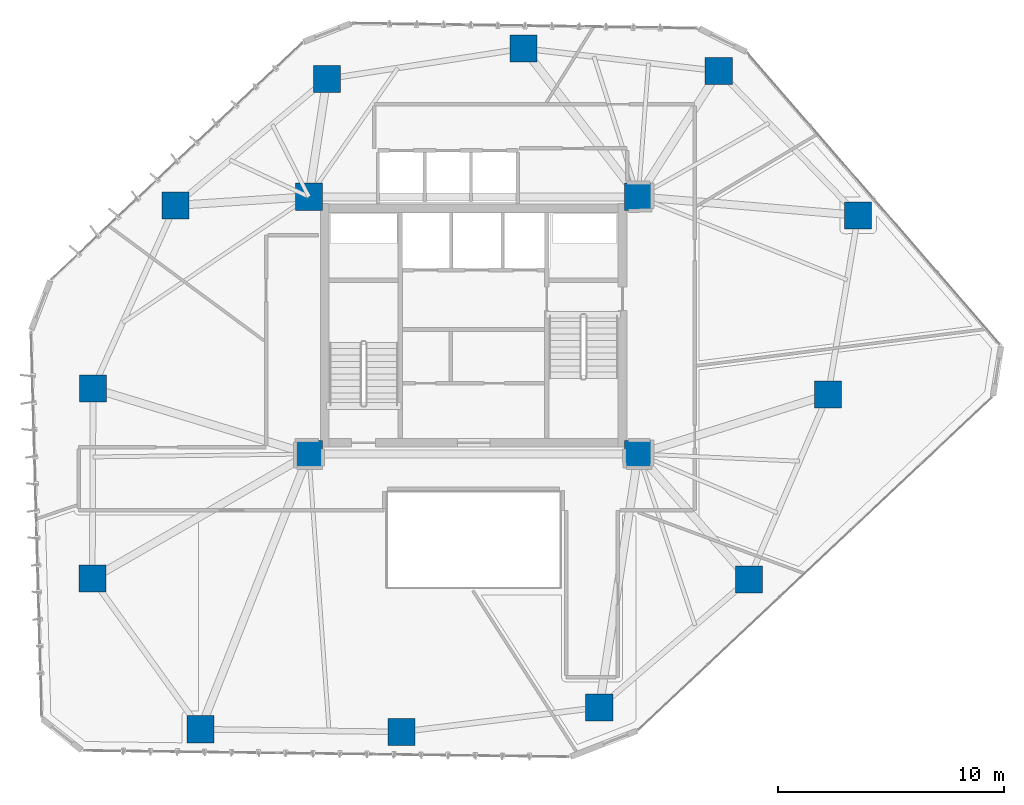
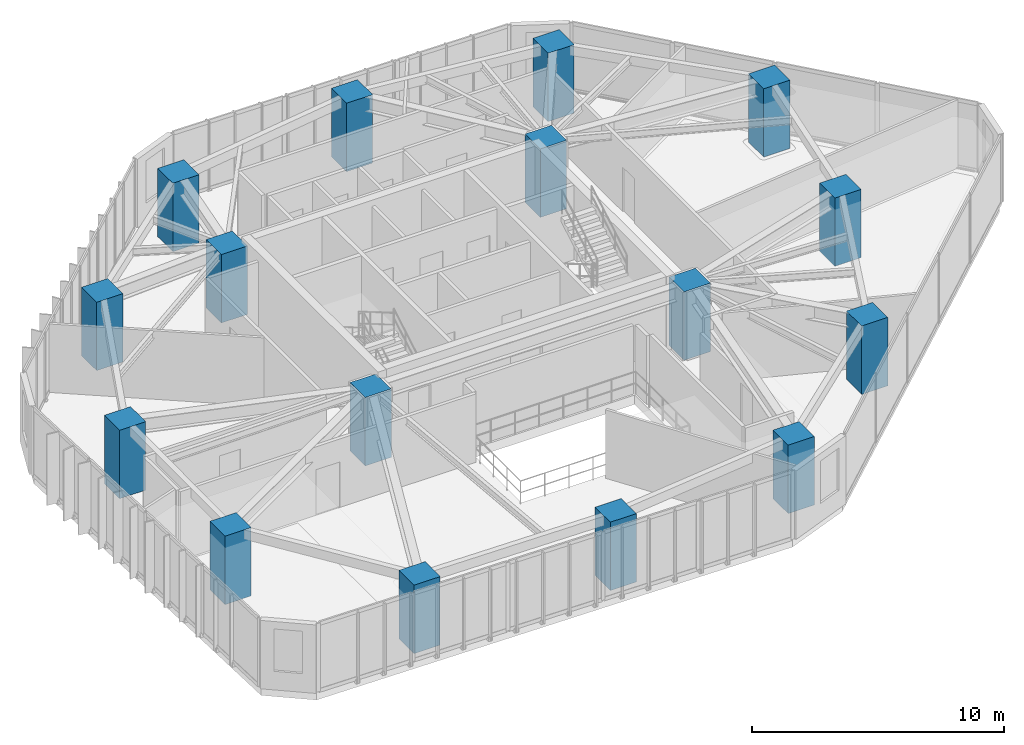
# One storey, part 1 of 22: 16 columns.
"""IFC4 building model written with IfcOpenShell, lengths in metres."""

from ifc_helpers import new_model, si_unit, direction, frame, origin, origin_2d, place, context, subcontext, project, spatial, rectangle, extrude, material, material_profile, profile_set, type_object, element, save


model = new_model("IFC4")

# Units and contexts
model_context = context("Model", 3, precision=1e-05, world=origin(), true_north=direction((0.0, 1.0)))
body_context = subcontext(model_context, "Body", "Model", "MODEL_VIEW")
ifc_project = project(units=[si_unit("LENGTHUNIT", "METRE"), si_unit("AREAUNIT", "SQUARE_METRE"), si_unit("VOLUMEUNIT", "CUBIC_METRE"), si_unit("PLANEANGLEUNIT", "RADIAN"), si_unit("MASSUNIT", "GRAM", prefix="KILO")], contexts=[model_context])

# Site, building, storey
site_placement = place(None, origin())
site = spatial("IfcSite", under=ifc_project, at=site_placement, CompositionType="ELEMENT")
building_placement = place(site_placement, origin())
building = spatial("IfcBuilding", under=site, at=building_placement, Name="Talar Marvaseh", CompositionType="ELEMENT")
storey_placement = place(building_placement, frame((0.0, 0.0, 89.39990234375)))
storey = spatial("IfcBuildingStorey", under=building, at=storey_placement, Name="L22", CompositionType="ELEMENT", Elevation=89.39990234375)

# Columns
ifc_material = material(Name="Concrete C60/75", Category="concrete")
ifc_material_profile = material_profile(ifc_material, rectangle(XDim=1.199951171875, YDim=1.199951171875, at=origin_2d()), Name="RC1200x1200")
ifc_profile_set = profile_set([ifc_material_profile], Name="Concrete C60/75")
column_type = type_object("IfcColumnType", Name="Zone 2 Tube Column RC1200x1200", PredefinedType="COLUMN", material=ifc_profile_set)
for number, where, z_axis, x_axis, name in (
    (1, (36.865966796875, 42.470947265625, 0.0), (0.0, 0.0, 1.0), (1.0, 0.0, 0.0), "L22 Zone 2 Tube Column RC1200x1200"),
    (2, (43.0439453125, 36.075927734375, 0.0), (0.0, 0.0, 1.0), (1.0, 0.0, 0.0), "L22 Zone 2 Tube Column RC1200x1200"),
    (3, (41.708984375, 28.1279296875, 0.0), (0.0, 0.0, 1.0), (1.0, 0.0, 0.0), "L22 Zone 2 Tube Column RC1200x1200"),
    (4, (38.2060546875, 19.94091796875, 0.0), (0.0, 0.0, 1.0), (1.0, 0.0, 0.0), "L22 Zone 2 Tube Column RC1200x1200"),
    (5, (31.570068359375, 14.26806640625, 0.0), (0.0, 0.0, 1.0), (1.0, 0.0, 0.0), "L22 Zone 2 Tube Column RC1200x1200"),
    (6, (22.804931640625, 13.18310546875, 0.0), (0.0, 0.0, 1.0), (1.0, 0.0, 0.0), "L22 Zone 2 Tube Column RC1200x1200"),
    (7, (13.89111328125, 13.299072265625, 0.0), (0.0, 0.0, 1.0), (1.0, 0.0, 0.0), "L22 Zone 2 Tube Column RC1200x1200"),
    (8, (9.10107421875, 19.97705078125, 0.0), (0.0, 0.0, 1.0), (1.0, 0.0, 0.0), "L22 Zone 2 Tube Column RC1200x1200"),
    (9, (9.137939453125, 28.402099609375, 0.0), (0.0, 0.0, 1.0), (1.0, 0.0, 0.0), "L22 Zone 2 Tube Column RC1200x1200"),
    (10, (12.780029296875, 36.51708984375, 0.0), (0.0, 0.0, 1.0), (1.0, 0.0, 0.0), "L22 Zone 2 Tube Column RC1200x1200"),
    (11, (19.5009765625, 42.123046875, 0.0), (0.0, 0.0, 1.0), (1.0, 0.0, 0.0), "L22 Zone 2 Tube Column RC1200x1200"),
    (12, (28.221923828125, 43.471923828125, 0.0), (0.0, 0.0, 1.0), (1.0, 0.0, 0.0), "L22 Zone 2 Tube Column RC1200x1200"),
    (13, (18.699951171875, 25.5, 0.0), (0.0, 0.0, 1.0), (1.0, 0.0, 0.0), "L22 Zone 2 Tube Column RC1200x1200"),
    (14, (33.300048828125, 25.5, 0.0), (0.0, 0.0, 1.0), (1.0, 0.0, 0.0), "L22 Zone 2 Tube Column RC1200x1200"),
    (15, (33.300048828125, 36.89990234375, 0.0), (0.0, 0.0, 1.0), (1.0, 0.0, 0.0), "L22 Zone 2 Tube Column RC1200x1200"),
    (16, (18.699951171875, 36.89990234375, 0.0), (0.0, 0.0, 1.0), (1.0, 0.0, 0.0), "L22 Zone 2 Tube Column RC1200x1200"),
):
    element("IfcColumn", number, at=place(storey_placement, frame(where, z_axis=z_axis, x_axis=x_axis)), inside=storey, type_object=column_type, Name=name, PredefinedType="COLUMN", context=body_context, shape_type="SweptSolid", body=[
        extrude(rectangle(XDim=1.199951171875, YDim=1.199951171875, at=origin_2d()), origin(), (0.0, 0.0, 1.0), 3.31005859375),
    ])

save(model, "model.ifc")
